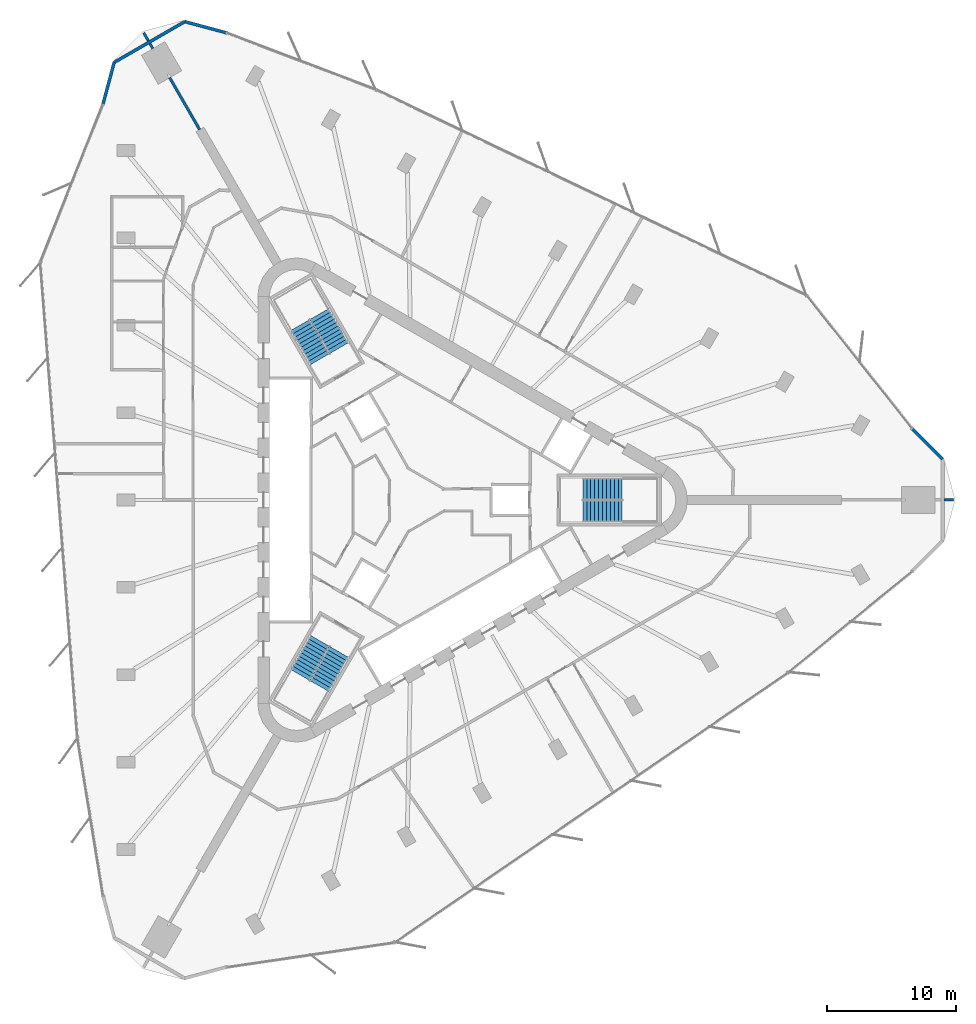
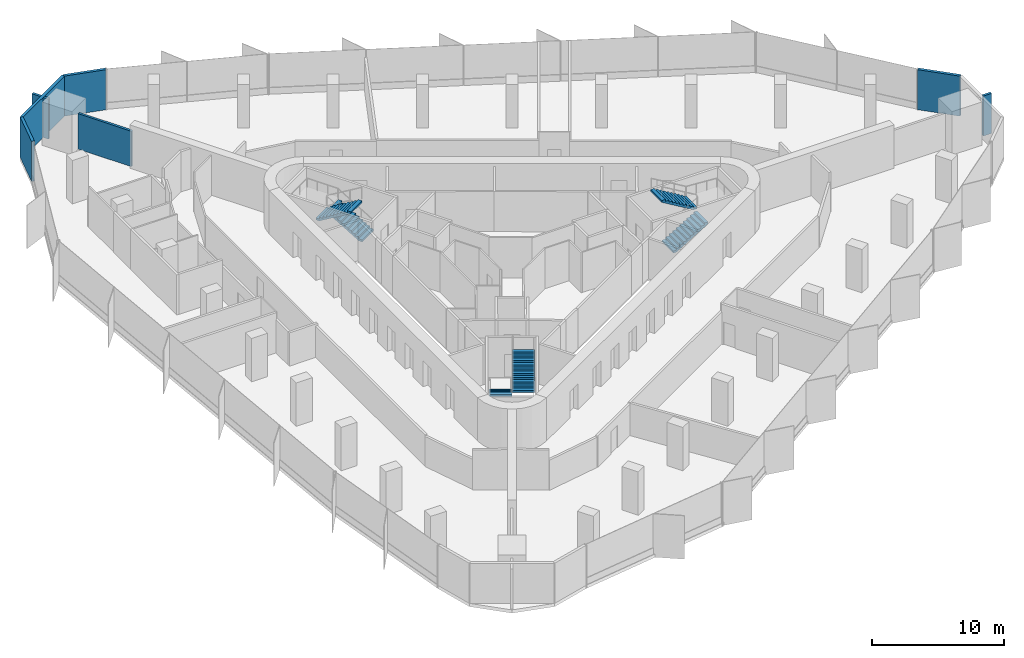
# One storey, part 12 of 13: 8 walls, 6 stair flights, 3 elements without a shape of their own.
"""IFC4 building model written with IfcOpenShell, lengths in metres."""

from ifc_helpers import new_model, si_unit, direction, frame, frame_2d, origin, place, context, subcontext, project, spatial, polyline, rectangle, outline, extrude, material, layer, layer_set, type_object, element, aggregate, save


model = new_model("IFC4")

# Units and contexts
model_context = context("Model", 3, precision=1e-05, world=origin(), true_north=direction((0.0, 1.0)))
body_context = subcontext(model_context, "Body", "Model", "MODEL_VIEW")
ifc_project = project(units=[si_unit("LENGTHUNIT", "METRE"), si_unit("AREAUNIT", "SQUARE_METRE"), si_unit("VOLUMEUNIT", "CUBIC_METRE"), si_unit("PLANEANGLEUNIT", "RADIAN"), si_unit("MASSUNIT", "GRAM", prefix="KILO")], contexts=[model_context])

# Site, building, storey
site_placement = place(None, origin())
site = spatial("IfcSite", under=ifc_project, at=site_placement, CompositionType="ELEMENT")
building_placement = place(site_placement, origin())
building = spatial("IfcBuilding", under=site, at=building_placement, Name="Tanit Gate Tower", CompositionType="ELEMENT")
storey_placement = place(building_placement, frame((0.0, 0.0, 193.199951171875)))
storey = spatial("IfcBuildingStorey", under=building, at=storey_placement, Name="L42", CompositionType="ELEMENT", Elevation=193.199951171875)

# Walls
ifc_material_1 = material(Name="Concrete C30/37 with bronze anodised aluminium cladding", Category="concrete")
ifc_layer_1 = layer(ifc_material_1, 0.239990234375)
ifc_layer_set_1 = layer_set([ifc_layer_1], Name="Facade wall bronze clad 240")
wall_type_1 = type_object("IfcWallType", Name="Facade wall bronze clad 240", PredefinedType="SOLIDWALL", material=ifc_layer_set_1)
wall_1_placement = place(storey_placement, frame((-14.560302734375, 36.22119140625, 0.0), z_axis=(0.0, 0.0, 1.0), x_axis=(-0.965922648034, 0.258830906222, 0.0)))
element("IfcWall", 1, at=wall_1_placement, inside=storey, type_object=wall_type_1, Name="Bronze-clad facade wall L42 NW.arc1", PredefinedType="SOLIDWALL", context=body_context, shape_type="SweptSolid", body=[
    extrude(rectangle(XDim=3.30322265625, YDim=0.239990234375, at=frame_2d((1.651611328125, 0.0))), origin(), (0.0, 0.0, 1.0), 3.699951171875),
])
wall_2_placement = place(storey_placement, frame((-17.7509765625, 37.076171875, 0.0), z_axis=(0.0, 0.0, 1.0), x_axis=(-0.86602503047, -0.5000006466, 0.0)))
element("IfcWall", 2, at=wall_2_placement, inside=storey, type_object=wall_type_1, Name="Bronze-clad facade wall L42 NW.arc2", PredefinedType="SOLIDWALL", context=body_context, shape_type="SweptSolid", body=[
    extrude(rectangle(XDim=6.33056640625, YDim=0.239990234375, at=frame_2d((3.165283203125, 0.0))), origin(), (0.0, 0.0, 1.0), 3.699951171875),
])
wall_3_placement = place(storey_placement, frame((-23.2333984375, 33.910888671875, 0.0), z_axis=(0.0, 0.0, 1.0), x_axis=(-0.258853842949, -0.965916501562, 0.0)))
element("IfcWall", 3, at=wall_3_placement, inside=storey, type_object=wall_type_1, Name="Bronze-clad facade wall L42 NW.arc3", PredefinedType="SOLIDWALL", context=body_context, shape_type="SweptSolid", body=[
    extrude(rectangle(XDim=3.316162109375, YDim=0.239990234375, at=frame_2d((1.658203125, 0.0))), origin(), (0.0, 0.0, 1.0), 3.699951171875),
])
wall_4_placement = place(storey_placement, frame((40.984375, 3.165283203125, 0.0), z_axis=(0.0, 0.0, 1.0), x_axis=(-0.707106781187, 0.707106781187, 0.0)))
element("IfcWall", 4, at=wall_4_placement, inside=storey, type_object=wall_type_1, Name="Bronze-clad facade wall L42 E.arc3", PredefinedType="SOLIDWALL", context=body_context, shape_type="SweptSolid", body=[
    extrude(rectangle(XDim=3.31640625, YDim=0.239990234375, at=frame_2d((1.658203125, 0.0))), origin(), (0.0, 0.0, 1.0), 3.699951171875),
])
ifc_material_2 = material(Name="Fire-rated gypsum board partition")
ifc_layer_2 = layer(ifc_material_2, 0.199951171875)
ifc_layer_set_2 = layer_set([ifc_layer_2], Name="INT-WALL-COMPARTMENT")
wall_type_2 = type_object("IfcWallType", Name="INT-WALL-COMPARTMENT", PredefinedType="PARTITIONING", material=ifc_layer_set_2)
wall_5_placement = place(storey_placement, frame((-20.938232421875, 36.2060546875, 0.0), z_axis=(0.0, 0.0, 1.0), x_axis=(0.49996696679, -0.866044474677, 0.0)))
element("IfcWall", 5, at=wall_5_placement, inside=storey, type_object=wall_type_2, Name="Wall Compartment W119", PredefinedType="PARTITIONING", context=body_context, shape_type="SweptSolid", body=[
    extrude(rectangle(XDim=0.72021484375, YDim=0.199951171875, at=frame_2d((0.360107421875, 0.0))), origin(), (0.0, 0.0, 1.0), 3.699951171875),
])
wall_6_placement = place(storey_placement, frame((-20.458251953125, 35.37451171875, 0.0), z_axis=(0.0, 0.0, 1.0), x_axis=(0.500384246316, -0.865803445384, 0.0)))
element("IfcWall", 6, at=wall_6_placement, inside=storey, type_object=wall_type_2, Name="Wall Compartment W119x1", PredefinedType="PARTITIONING", context=body_context, shape_type="SweptSolid", body=[
    extrude(rectangle(XDim=0.457763671875, YDim=0.199951171875, at=frame_2d((0.22900390625, 0.0))), origin(), (0.0, 0.0, 1.0), 3.699951171875),
])
wall_7_placement = place(storey_placement, frame((-18.929443359375, 32.7265625, 0.0), z_axis=(0.0, 0.0, 1.0), x_axis=(0.500007271693, -0.86602120543, 0.0)))
element("IfcWall", 7, at=wall_7_placement, inside=storey, type_object=wall_type_2, Name="Wall Compartment W120", PredefinedType="PARTITIONING", context=body_context, shape_type="SweptSolid", body=[
    extrude(rectangle(XDim=4.64990234375, YDim=0.199951171875, at=frame_2d((2.324951171875, 0.0))), origin(), (0.0, 0.0, 1.0), 3.27001953125),
])
wall_8_placement = place(storey_placement, frame((41.104248046875, 0.030029296875, 0.0), z_axis=(0.0, 0.0, 1.0), x_axis=(1.0, 0.0, 0.0)))
element("IfcWall", 8, at=wall_8_placement, inside=storey, type_object=wall_type_2, Name="Wall Compartment W132x1", PredefinedType="PARTITIONING", context=body_context, shape_type="SweptSolid", body=[
    extrude(rectangle(XDim=0.72021484375, YDim=0.199951171875, at=frame_2d((0.360107421875, 0.0))), origin(), (0.0, 0.0, 1.0), 3.699951171875),
])

# Stair, stair flights
ifc_material_3 = material(Name="Concrete C40/50", Category="concrete")
stair_type = type_object("IfcStairType", Name="INT-STAIR-EXIT", PredefinedType="HALF_TURN_STAIR", material=ifc_material_3)
stair_1_placement = place(storey_placement, origin())
stair_1 = element("IfcStair", 9, at=stair_1_placement, inside=storey, type_object=stair_type, Name="L42 STAIR S1", PredefinedType="HALF_TURN_STAIR")
ifc_material_4 = material(Name="Concrete C40/50", Category="concrete")
stair_flight_type = type_object("IfcStairFlightType", Name="INT-STAIR-FLIGHT", PredefinedType="STRAIGHT", material=ifc_material_4)
stair_flight_1_placement = place(storey_placement, frame((13.094970703125, -0.8525390625, 0.0), z_axis=(0.0, 0.0, 1.0), x_axis=(1.0, 0.0, 0.0)))
stair_flight_1 = element("IfcStairFlight", 10, at=stair_flight_1_placement, type_object=stair_flight_type, Name="S1 flight 1", NumberOfRisers=11, NumberOfTreads=10, PredefinedType="STRAIGHT", RiserHeight=0.181818182, TreadLength=0.3051, context=body_context, shape_type="SweptSolid", body=[
    extrude(outline(polyline([(0.0, 0.0), (0.0, 0.181884765625), (0.30517578125, 0.181884765625), (0.30517578125, 0.363525390625), (0.610107421875, 0.363525390625), (0.610107421875, 0.54541015625), (0.915283203125, 0.54541015625), (0.915283203125, 0.727294921875), (1.220458984375, 0.727294921875), (1.220458984375, 0.9091796875), (1.525390625, 0.9091796875), (1.525390625, 1.0908203125), (1.83056640625, 1.0908203125), (1.83056640625, 1.272705078125), (2.1357421875, 1.272705078125), (2.1357421875, 1.45458984375), (2.44091796875, 1.45458984375), (2.44091796875, 1.636474609375), (2.745849609375, 1.636474609375), (2.745849609375, 1.818115234375), (3.051025390625, 1.818115234375), (3.051025390625, 2.0), (3.051025390625, 1.643798828125), (0.292724609375, 0.0), (0.0, 0.0)])), frame((0.0, 0.84765625, 0.0), z_axis=(0.0, -1.0, 0.0), x_axis=(1.0, 0.0, 0.0)), (0.0, 0.0, 1.0), 1.695068359375),
])
stair_flight_2_placement = place(storey_placement, frame((16.14599609375, 0.8525390625, 2.0), z_axis=(0.0, 0.0, 1.0), x_axis=(-1.0, 0.0, 0.0)))
stair_flight_2 = element("IfcStairFlight", 11, at=stair_flight_2_placement, type_object=stair_flight_type, Name="S1 flight 2", NumberOfRisers=11, NumberOfTreads=10, PredefinedType="STRAIGHT", RiserHeight=0.181818182, TreadLength=0.3051, context=body_context, shape_type="SweptSolid", body=[
    extrude(outline(polyline([(0.0, 0.0), (0.0, 0.181884765625), (0.30517578125, 0.181884765625), (0.30517578125, 0.363525390625), (0.610107421875, 0.363525390625), (0.610107421875, 0.54541015625), (0.915283203125, 0.54541015625), (0.915283203125, 0.727294921875), (1.220458984375, 0.727294921875), (1.220458984375, 0.9091796875), (1.525390625, 0.9091796875), (1.525390625, 1.0908203125), (1.83056640625, 1.0908203125), (1.83056640625, 1.272705078125), (2.1357421875, 1.272705078125), (2.1357421875, 1.45458984375), (2.44091796875, 1.45458984375), (2.44091796875, 1.636474609375), (2.745849609375, 1.636474609375), (2.745849609375, 1.818115234375), (3.051025390625, 1.818115234375), (3.051025390625, 2.0), (3.051025390625, 1.643798828125), (0.292724609375, 0.0), (0.0, 0.0)])), frame((0.0, 0.84765625, 0.0), z_axis=(0.0, -1.0, 0.0), x_axis=(1.0, 0.0, 0.0)), (0.0, 0.0, 1.0), 1.695068359375),
])
aggregate(stair_1, [stair_flight_1, stair_flight_2])

stair_2_placement = place(storey_placement, origin())
stair_2 = element("IfcStair", 12, at=stair_2_placement, inside=storey, type_object=stair_type, Name="L42 STAIR S2", PredefinedType="HALF_TURN_STAIR")
stair_flight_3_placement = place(storey_placement, frame((-5.808349609375, 11.766357421875, 0.0), z_axis=(0.0, 0.0, 1.0), x_axis=(-0.5, 0.866025403784, 0.0)))
stair_flight_3 = element("IfcStairFlight", 13, at=stair_flight_3_placement, type_object=stair_flight_type, Name="S2 flight 1", NumberOfRisers=11, NumberOfTreads=10, PredefinedType="STRAIGHT", RiserHeight=0.181818182, TreadLength=0.30492, context=body_context, shape_type="SweptSolid", body=[
    extrude(outline(polyline([(0.0, 0.0), (0.0, 0.181884765625), (0.304931640625, 0.181884765625), (0.304931640625, 0.363525390625), (0.60986328125, 0.363525390625), (0.60986328125, 0.54541015625), (0.914794921875, 0.54541015625), (0.914794921875, 0.727294921875), (1.2197265625, 0.727294921875), (1.2197265625, 0.9091796875), (1.524658203125, 0.9091796875), (1.524658203125, 1.0908203125), (1.82958984375, 1.0908203125), (1.82958984375, 1.272705078125), (2.134521484375, 1.272705078125), (2.134521484375, 1.45458984375), (2.439453125, 1.45458984375), (2.439453125, 1.636474609375), (2.744384765625, 1.636474609375), (2.744384765625, 1.818115234375), (3.04931640625, 1.818115234375), (3.04931640625, 2.0), (3.04931640625, 1.6435546875), (0.292724609375, 0.0), (0.0, 0.0)])), frame((0.0, 0.84716796875, 0.0), z_axis=(0.0, -1.0, 0.0), x_axis=(1.0, 0.0, 0.0)), (0.0, 0.0, 1.0), 1.694091796875),
])
stair_flight_4_placement = place(storey_placement, frame((-8.810302734375, 13.553955078125, 2.0), z_axis=(0.0, 0.0, 1.0), x_axis=(0.5, -0.866025403784, 0.0)))
stair_flight_4 = element("IfcStairFlight", 14, at=stair_flight_4_placement, type_object=stair_flight_type, Name="S2 flight 2", NumberOfRisers=11, NumberOfTreads=10, PredefinedType="STRAIGHT", RiserHeight=0.181818182, TreadLength=0.30492, context=body_context, shape_type="SweptSolid", body=[
    extrude(outline(polyline([(0.0, 0.0), (0.0, 0.181884765625), (0.304931640625, 0.181884765625), (0.304931640625, 0.363525390625), (0.60986328125, 0.363525390625), (0.60986328125, 0.54541015625), (0.914794921875, 0.54541015625), (0.914794921875, 0.727294921875), (1.2197265625, 0.727294921875), (1.2197265625, 0.9091796875), (1.524658203125, 0.9091796875), (1.524658203125, 1.0908203125), (1.82958984375, 1.0908203125), (1.82958984375, 1.272705078125), (2.134521484375, 1.272705078125), (2.134521484375, 1.45458984375), (2.439453125, 1.45458984375), (2.439453125, 1.636474609375), (2.744384765625, 1.636474609375), (2.744384765625, 1.818115234375), (3.04931640625, 1.818115234375), (3.04931640625, 2.0), (3.04931640625, 1.6435546875), (0.292724609375, 0.0), (0.0, 0.0)])), frame((0.0, 0.84716796875, 0.0), z_axis=(0.0, -1.0, 0.0), x_axis=(1.0, 0.0, 0.0)), (0.0, 0.0, 1.0), 1.694091796875),
])
aggregate(stair_2, [stair_flight_3, stair_flight_4])

stair_3_placement = place(storey_placement, origin())
stair_3 = element("IfcStair", 15, at=stair_3_placement, inside=storey, type_object=stair_type, Name="L42 STAIR S3", PredefinedType="HALF_TURN_STAIR")
stair_flight_5_placement = place(storey_placement, frame((-7.285888671875, -10.914306640625, 0.0), z_axis=(0.0, 0.0, 1.0), x_axis=(-0.5, -0.866025403784, 0.0)))
stair_flight_5 = element("IfcStairFlight", 16, at=stair_flight_5_placement, type_object=stair_flight_type, Name="S3 flight 1", NumberOfRisers=11, NumberOfTreads=10, PredefinedType="STRAIGHT", RiserHeight=0.181818182, TreadLength=0.3051, context=body_context, shape_type="SweptSolid", body=[
    extrude(outline(polyline([(0.0, 0.0), (0.0, 0.181884765625), (0.30517578125, 0.181884765625), (0.30517578125, 0.363525390625), (0.610107421875, 0.363525390625), (0.610107421875, 0.54541015625), (0.915283203125, 0.54541015625), (0.915283203125, 0.727294921875), (1.220458984375, 0.727294921875), (1.220458984375, 0.9091796875), (1.525390625, 0.9091796875), (1.525390625, 1.0908203125), (1.83056640625, 1.0908203125), (1.83056640625, 1.272705078125), (2.1357421875, 1.272705078125), (2.1357421875, 1.45458984375), (2.44091796875, 1.45458984375), (2.44091796875, 1.636474609375), (2.745849609375, 1.636474609375), (2.745849609375, 1.818115234375), (3.051025390625, 1.818115234375), (3.051025390625, 2.0), (3.051025390625, 1.643798828125), (0.292724609375, 0.0), (0.0, 0.0)])), frame((0.0, 0.84765625, 0.0), z_axis=(0.0, -1.0, 0.0), x_axis=(1.0, 0.0, 0.0)), (0.0, 0.0, 1.0), 1.695068359375),
])
stair_flight_6_placement = place(storey_placement, frame((-7.334716796875, -14.4091796875, 2.0), z_axis=(0.0, 0.0, 1.0), x_axis=(0.5, 0.866025403784, 0.0)))
stair_flight_6 = element("IfcStairFlight", 17, at=stair_flight_6_placement, type_object=stair_flight_type, Name="S3 flight 2", NumberOfRisers=11, NumberOfTreads=10, PredefinedType="STRAIGHT", RiserHeight=0.181818182, TreadLength=0.3051, context=body_context, shape_type="SweptSolid", body=[
    extrude(outline(polyline([(0.0, 0.0), (0.0, 0.181884765625), (0.30517578125, 0.181884765625), (0.30517578125, 0.363525390625), (0.610107421875, 0.363525390625), (0.610107421875, 0.54541015625), (0.915283203125, 0.54541015625), (0.915283203125, 0.727294921875), (1.220458984375, 0.727294921875), (1.220458984375, 0.9091796875), (1.525390625, 0.9091796875), (1.525390625, 1.0908203125), (1.83056640625, 1.0908203125), (1.83056640625, 1.272705078125), (2.1357421875, 1.272705078125), (2.1357421875, 1.45458984375), (2.44091796875, 1.45458984375), (2.44091796875, 1.636474609375), (2.745849609375, 1.636474609375), (2.745849609375, 1.818115234375), (3.051025390625, 1.818115234375), (3.051025390625, 2.0), (3.051025390625, 1.643798828125), (0.292724609375, 0.0), (0.0, 0.0)])), frame((0.0, 0.84765625, 0.0), z_axis=(0.0, -1.0, 0.0), x_axis=(1.0, 0.0, 0.0)), (0.0, 0.0, 1.0), 1.695068359375),
])
aggregate(stair_3, [stair_flight_5, stair_flight_6])

save(model, "model.ifc")
